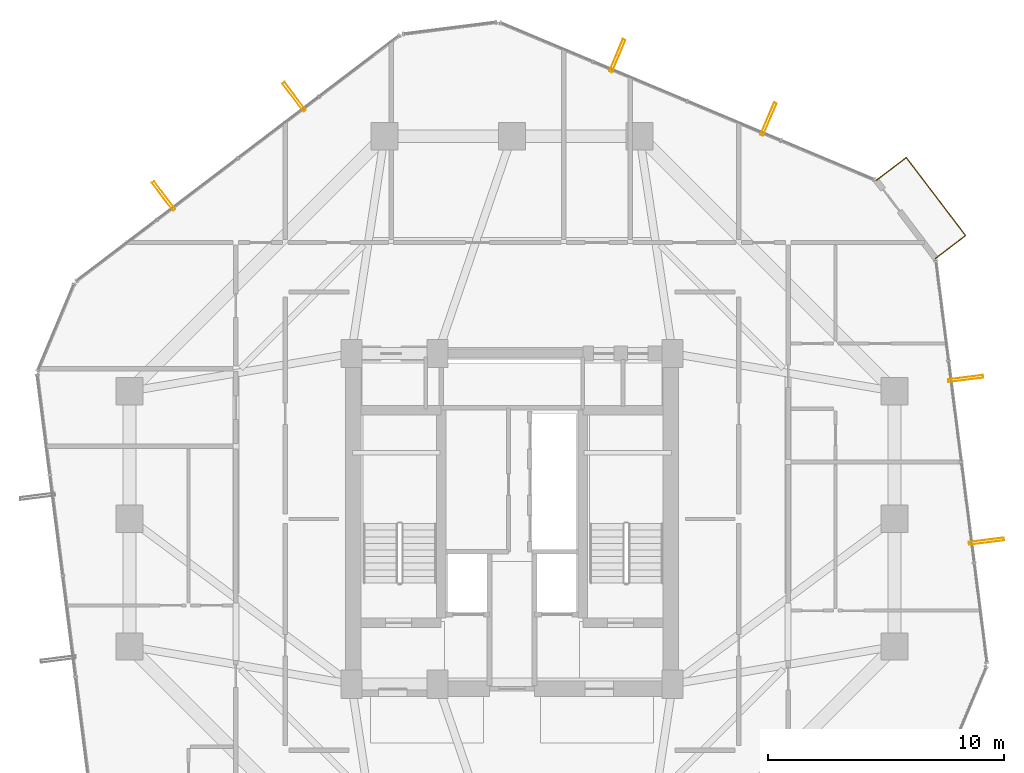
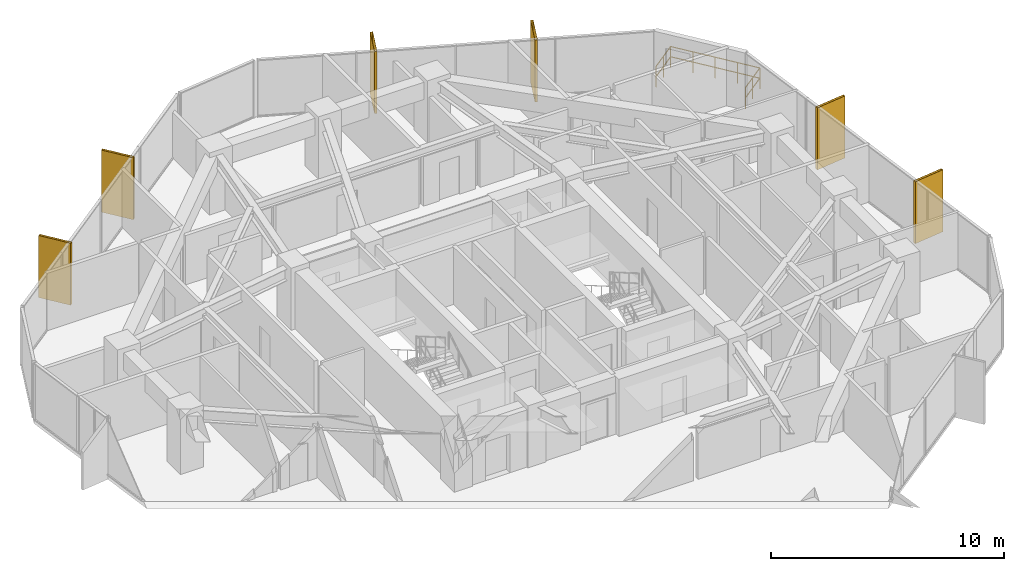
# One storey, part 33 of 33: 6 shading devices, 1 railing.
"""IFC4 building model written with IfcOpenShell, lengths in metres."""

from ifc_helpers import new_model, si_unit, direction, frame, origin, origin_2d, place, context, subcontext, project, spatial, hollow_rectangle, circle, extrude, material, material_profile, profile_set, type_object, element, save


model = new_model("IFC4")

# Units and contexts
model_context = context("Model", 3, precision=1e-05, world=origin(), true_north=direction((0.0, 1.0)))
body_context = subcontext(model_context, "Body", "Model", "MODEL_VIEW")
ifc_project = project(units=[si_unit("LENGTHUNIT", "METRE"), si_unit("AREAUNIT", "SQUARE_METRE"), si_unit("VOLUMEUNIT", "CUBIC_METRE"), si_unit("PLANEANGLEUNIT", "RADIAN"), si_unit("MASSUNIT", "GRAM", prefix="KILO")], contexts=[model_context])

# Site, building, storey
site_placement = place(None, origin())
site = spatial("IfcSite", under=ifc_project, at=site_placement, CompositionType="ELEMENT")
building_placement = place(site_placement, origin())
building = spatial("IfcBuilding", under=site, at=building_placement, Name="Veraguas Prism Commons", CompositionType="ELEMENT")
storey_placement = place(building_placement, frame((0.0, 0.0, 152.25)))
storey = spatial("IfcBuildingStorey", under=building, at=storey_placement, Name="L43", CompositionType="ELEMENT", Elevation=152.25)

# Shading devices
ifc_material_1 = material(Name="Anodised aluminium EN AW-6063 T6", Category="aluminium")
ifc_material_profile = material_profile(ifc_material_1, hollow_rectangle(XDim=0.1201171875, YDim=1.489990234375, WallThickness=0.006103515625, at=origin_2d()), Name="FIN120X1490X6")
ifc_profile_set = profile_set([ifc_material_profile], Name="Anodised aluminium EN AW-6063 T6")
shading_device_type = type_object("IfcShadingDeviceType", Name="Deep Pale-Metal Vertical Solar Fin 120x1490", PredefinedType="USERDEFINED", material=ifc_profile_set)
for number, where, z_axis, x_axis, name in (
    (1, (34.863525390625, 40.92236328125, -0.22998046875), (0.0, 0.0, 1.0), (-0.922132113386, 0.38687512903, 0.0), "Vertical Pale-Metal Solar Fin L43-F1A"),
    (2, (28.46240234375, 43.60791015625, -0.22998046875), (0.0, 0.0, 1.0), (-0.922132113386, 0.38687512903, 0.0), "Vertical Pale-Metal Solar Fin L43-F1B"),
    (3, (14.776611328125, 41.869384765625, -0.22998046875), (0.0, 0.0, 1.0), (-0.796106577945, -0.605156439735, 0.0), "Vertical Pale-Metal Solar Fin L43-F2A"),
    (4, (9.250244140625, 37.66845703125, -0.22998046875), (0.0, 0.0, 1.0), (-0.796106577945, -0.605156439735, 0.0), "Vertical Pale-Metal Solar Fin L43-F2B"),
    (5, (44.0869140625, 23.052978515625, -0.22998046875), (0.0, 0.0, 1.0), (-0.126025829689, 0.992026960446, 0.0), "Vertical Pale-Metal Solar Fin L43-F6A"),
    (6, (43.212158203125, 29.939453125, -0.22998046875), (0.0, 0.0, 1.0), (-0.126025829689, 0.992026960446, 0.0), "Vertical Pale-Metal Solar Fin L43-F6B"),
):
    element("IfcShadingDevice", number, at=place(storey_placement, frame(where, z_axis=z_axis, x_axis=x_axis)), inside=storey, type_object=shading_device_type, Name=name, ObjectType="FIN", PredefinedType="USERDEFINED", context=body_context, shape_type="SweptSolid", body=[
        extrude(hollow_rectangle(XDim=0.1201171875, YDim=1.489990234375, WallThickness=0.006103515625, at=origin_2d()), origin(), (0.0, 0.0, 1.0), 3.25),
    ])

# Railing
ifc_material_2 = material(Name="Stainless steel AISI 316", Category="steel")
railing_type = type_object("IfcRailingType", Name="Loggia and Sky Pool Glazed Balustrade 1120", PredefinedType="BALUSTRADE", material=ifc_material_2)
railing_placement = place(storey_placement, frame((41.93603515625, 35.025390625, 0.0)))
element("IfcRailing", 7, at=railing_placement, inside=storey, type_object=railing_type, Name="Recessed Corner Loggia L43-C1 Guard", PredefinedType="BALUSTRADE", context=body_context, shape_type="SweptSolid", body=[
    extrude(circle(Radius=0.02392578125, at=origin_2d()), frame((0.0, 0.0, 1.09619140625), z_axis=(0.796009279326, 0.605284418457, 0.0), x_axis=(-0.605284418457, 0.796009279326, 0.0)), (0.0, 0.0, 1.0), 1.60009765625),
    extrude(circle(Radius=0.02392578125, at=origin_2d()), frame((0.0, 0.0, 0.56005859375), z_axis=(0.796009279326, 0.605284418457, 0.0), x_axis=(-0.605284418457, 0.796009279326, 0.0)), (0.0, 0.0, 1.0), 1.60009765625),
    extrude(circle(Radius=0.02392578125, at=origin_2d()), frame((1.273681640625, 0.968505859375, 1.09619140625), z_axis=(-0.605160773828, 0.796103283387, 0.0), x_axis=(-0.796103283387, -0.605160773828, 0.0)), (0.0, 0.0, 1.0), 4.15283203125),
    extrude(circle(Radius=0.02392578125, at=origin_2d()), frame((1.273681640625, 0.968505859375, 0.56005859375), z_axis=(-0.605160773828, 0.796103283387, 0.0), x_axis=(-0.796103283387, -0.605160773828, 0.0)), (0.0, 0.0, 1.0), 4.15283203125),
    extrude(circle(Radius=0.02392578125, at=origin_2d()), frame((-1.239501953125, 4.274658203125, 1.09619140625), z_axis=(-0.796138672763, -0.605114215443, 0.0), x_axis=(0.605114215443, -0.796138672763, 0.0)), (0.0, 0.0, 1.0), 1.60009765625),
    extrude(circle(Radius=0.02392578125, at=origin_2d()), frame((-1.239501953125, 4.274658203125, 0.56005859375), z_axis=(-0.796138672763, -0.605114215443, 0.0), x_axis=(0.605114215443, -0.796138672763, 0.0)), (0.0, 0.0, 1.0), 1.60009765625),
    extrude(circle(Radius=0.02099609375, at=origin_2d()), origin(), (0.0, 0.0, 1.0), 1.072021484375),
    extrude(circle(Radius=0.02099609375, at=origin_2d()), frame((0.63671875, 0.484375, 0.0)), (0.0, 0.0, 1.0), 1.072021484375),
    extrude(circle(Radius=0.02099609375, at=origin_2d()), frame((1.273681640625, 0.968505859375, 0.0)), (0.0, 0.0, 1.0), 1.072021484375),
    extrude(circle(Radius=0.02099609375, at=origin_2d()), frame((0.6455078125, 1.794921875, 0.0)), (0.0, 0.0, 1.0), 1.072021484375),
    extrude(circle(Radius=0.02099609375, at=origin_2d()), frame((0.01708984375, 2.62158203125, 0.0)), (0.0, 0.0, 1.0), 1.072021484375),
    extrude(circle(Radius=0.02099609375, at=origin_2d()), frame((-0.611328125, 3.4482421875, 0.0)), (0.0, 0.0, 1.0), 1.072021484375),
    extrude(circle(Radius=0.02099609375, at=origin_2d()), frame((-1.239501953125, 4.274658203125, 0.0)), (0.0, 0.0, 1.0), 1.072021484375),
    extrude(circle(Radius=0.02099609375, at=origin_2d()), frame((-1.87646484375, 3.79052734375, 0.0)), (0.0, 0.0, 1.0), 1.072021484375),
    extrude(circle(Radius=0.02099609375, at=origin_2d()), frame((-2.513427734375, 3.306396484375, 0.0)), (0.0, 0.0, 1.0), 1.072021484375),
])

save(model, "model.ifc")
